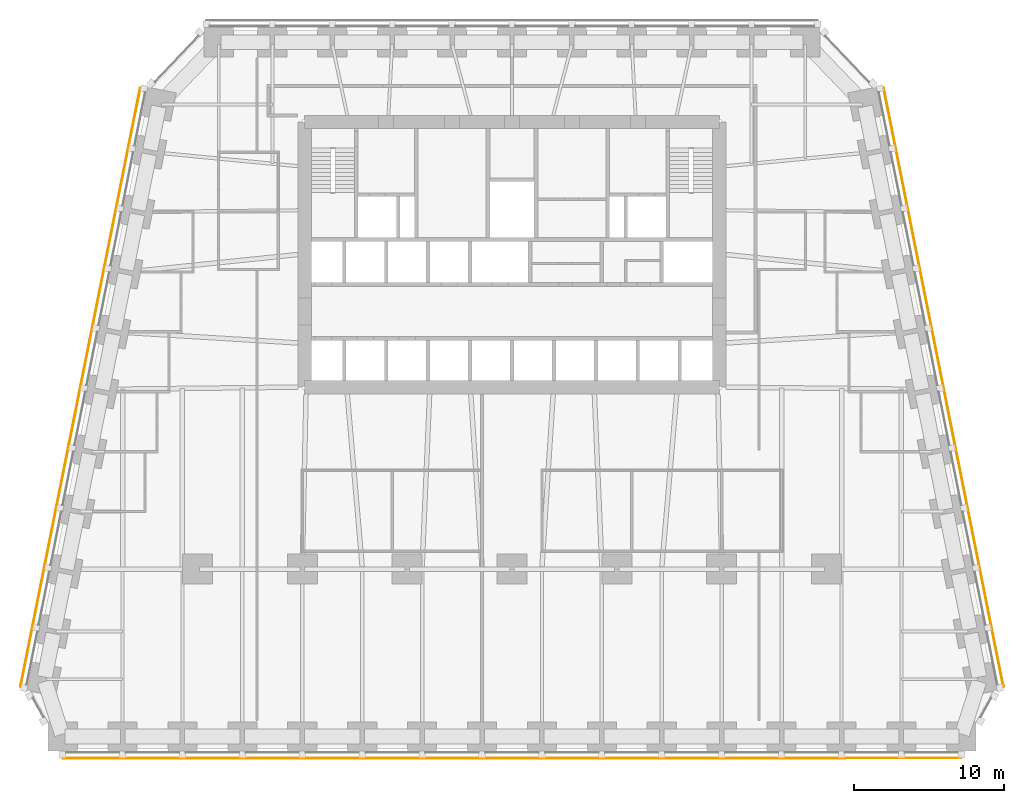
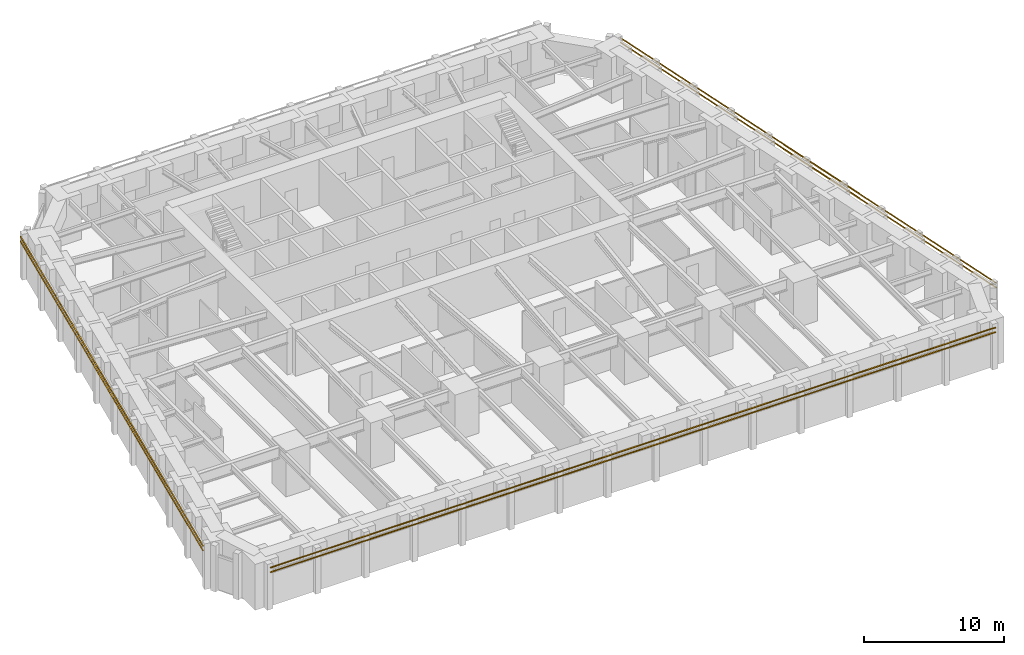
# One storey, part 9 of 10: 6 shading devices.
"""IFC4 building model written with IfcOpenShell, lengths in metres."""

from ifc_helpers import new_model, si_unit, direction, frame, origin, origin_2d, place, context, subcontext, project, spatial, rectangle, extrude, material, material_profile, profile_set, type_object, element, save


model = new_model("IFC4")

# Units and contexts
model_context = context("Model", 3, precision=1e-05, world=origin(), true_north=direction((0.0, 1.0)))
body_context = subcontext(model_context, "Body", "Model", "MODEL_VIEW")
ifc_project = project(units=[si_unit("LENGTHUNIT", "METRE"), si_unit("AREAUNIT", "SQUARE_METRE"), si_unit("VOLUMEUNIT", "CUBIC_METRE"), si_unit("PLANEANGLEUNIT", "RADIAN"), si_unit("MASSUNIT", "GRAM", prefix="KILO")], contexts=[model_context])

# Site, building, storey
site_placement = place(None, origin())
site = spatial("IfcSite", under=ifc_project, at=site_placement, CompositionType="ELEMENT")
building_placement = place(site_placement, origin())
building = spatial("IfcBuilding", under=site, at=building_placement, Name="Isbrekke Arena Tower", CompositionType="ELEMENT")
storey_placement = place(building_placement, frame((0.0, 0.0, 60.0)))
storey = spatial("IfcBuildingStorey", under=building, at=storey_placement, Name="L12", CompositionType="ELEMENT", Elevation=60.0)

# Shading devices
ifc_material = material(Name="Terracotta", Category="masonry")
ifc_material_profile = material_profile(ifc_material, rectangle(XDim=0.06005859375, YDim=0.06005859375, at=origin_2d()), Name="BAGUETTE 60X60")
ifc_profile_set = profile_set([ifc_material_profile], Name="Terracotta")
shading_device_type = type_object("IfcShadingDeviceType", Name="BG1 TERRACOTTA BAGUETTE 60 x 60", PredefinedType="USERDEFINED", material=ifc_profile_set)
for number, where, z_axis, x_axis, name in (
    (1, (-30.0, -18.6298828125, 3.280029296875), (1.0, 0.0, 0.0), (0.0, 1.0, 0.0), "BG1 terracotta baguette S1 L12"),
    (2, (-30.0, -18.6298828125, 3.679931640625), (1.0, 0.0, 0.0), (0.0, 1.0, 0.0), "BG1 terracotta baguette S2 L12"),
):
    element("IfcShadingDevice", number, at=place(storey_placement, frame(where, z_axis=z_axis, x_axis=x_axis)), inside=storey, type_object=shading_device_type, Name=name, ObjectType="TERRACOTTA BAGUETTE", PredefinedType="USERDEFINED", context=body_context, shape_type="SweptSolid", body=[
        extrude(rectangle(XDim=0.06005859375, YDim=0.06005859375, at=origin_2d()), origin(), (0.0, 0.0, 1.0), 60.0),
    ])
for number, where, z_axis, x_axis, name in (
    (3, (32.81787109375, -13.87646484375, 3.280029296875), (-0.196116135138, 0.980580675691, 0.0), (-0.980580675691, -0.196116135138, 0.0), "BG1 terracotta baguette E1 L12"),
    (4, (32.81787109375, -13.87646484375, 3.679931640625), (-0.196116135138, 0.980580675691, 0.0), (-0.980580675691, -0.196116135138, 0.0), "BG1 terracotta baguette E2 L12"),
    (5, (-24.81787109375, 26.12353515625, 3.280029296875), (-0.196116135138, -0.980580675691, 0.0), (0.980580675691, -0.196116135138, 0.0), "BG1 terracotta baguette W1 L12"),
    (6, (-24.81787109375, 26.12353515625, 3.679931640625), (-0.196116135138, -0.980580675691, 0.0), (0.980580675691, -0.196116135138, 0.0), "BG1 terracotta baguette W2 L12"),
):
    element("IfcShadingDevice", number, at=place(storey_placement, frame(where, z_axis=z_axis, x_axis=x_axis)), inside=storey, type_object=shading_device_type, Name=name, ObjectType="TERRACOTTA BAGUETTE", PredefinedType="USERDEFINED", context=body_context, shape_type="SweptSolid", body=[
        extrude(rectangle(XDim=0.06005859375, YDim=0.06005859375, at=origin_2d()), origin(), (0.0, 0.0, 1.0), 40.792236328125),
    ])

save(model, "model.ifc")
